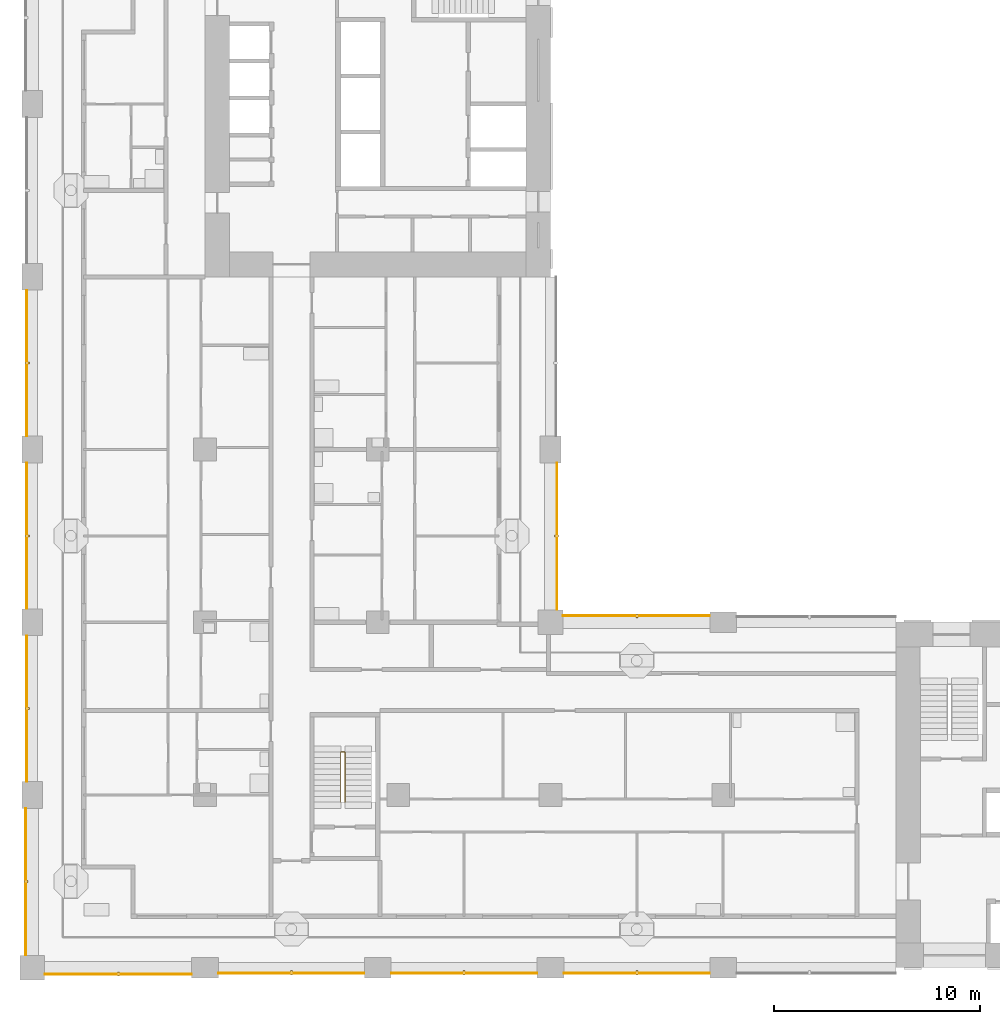
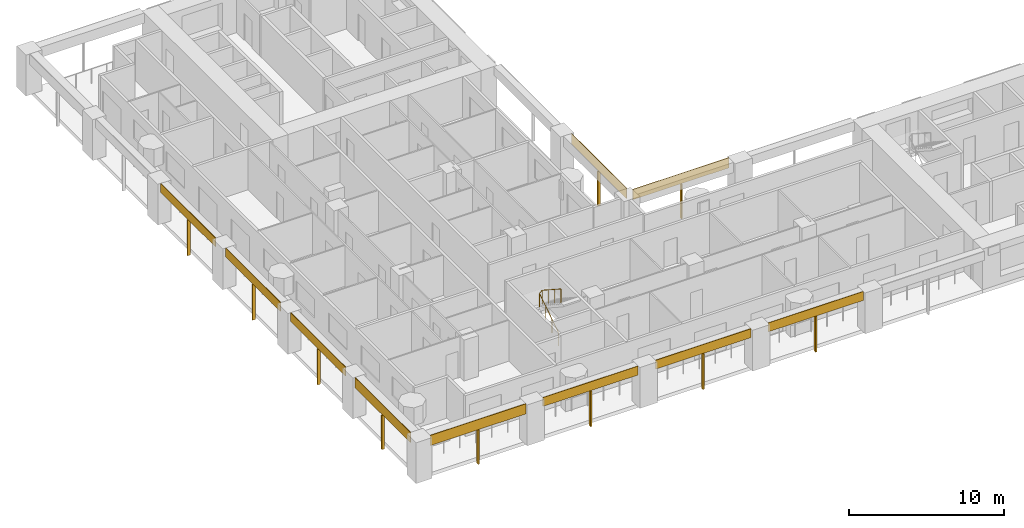
# One storey, part 9 of 18: 20 shading devices, 1 railing.
"""IFC4 building model written with IfcOpenShell, lengths in metres."""

import ifcopenshell
import ifcopenshell.guid

model = None  # the IFC model being written
_history = None  # IfcOwnerHistory: only IFC2X3 demands one
_inside = {}  # id of a spatial element -> (the spatial element, [elements in it])
_under = {}  # id of a project, library or spatial element -> (it, [spatial elements below it])
_declared = {}  # id of a project -> (the project, [libraries it declares])
_typed = {}  # id of a type object -> (the type object, [elements of that type])
_made_of = {}  # id of a material, layer set ... -> (it, [elements and type objects made of it])


def new_model(schema):
    """Start an empty IFC model of exactly this schema.

    Asked for "IFC4X3", IfcOpenShell would pick the latest addendum, in which some entities
    have other attributes; the version numbers below select the first issue.
    IFC2X3 requires an IfcOwnerHistory on every rooted entity: one is made here for all.
    """
    global model, _history
    if schema == "IFC4X3":
        model = ifcopenshell.file(schema_version=(4, 3, 0, 0))
    else:
        model = ifcopenshell.file(schema=schema)
    _inside.clear()
    _under.clear()
    _declared.clear()
    _typed.clear()
    _made_of.clear()
    _history = None
    if model.schema == "IFC2X3":
        org = make("IfcOrganization", Name="unknown")
        user = make(
            "IfcPersonAndOrganization",
            ThePerson=make("IfcPerson", FamilyName="unknown"),
            TheOrganization=org,
        )
        app = make(
            "IfcApplication",
            ApplicationDeveloper=org,
            Version="unknown",
            ApplicationFullName="unknown",
            ApplicationIdentifier="unknown",
        )
        _history = make(
            "IfcOwnerHistory",
            OwningUser=user,
            OwningApplication=app,
            ChangeAction="ADDED",
            CreationDate=0,
        )
    return model


def make(cls, **values):
    """One entity of the class cls with the attributes given. An attribute that is None is left unset."""
    return model.create_entity(
        cls, **{name: value for name, value in values.items() if value is not None}
    )


def rooted(cls, **values):
    """An entity with a GlobalId (a new one), such as an element, a storey or a relation."""
    return make(cls, GlobalId=ifcopenshell.guid.new(), OwnerHistory=_history, **values)


def si_unit(unit_type, name, prefix=None):
    """IfcSIUnit, for example si_unit("LENGTHUNIT", "METRE", prefix="MILLI")."""
    return make("IfcSIUnit", UnitType=unit_type, Prefix=prefix, Name=name)


def assignment(units):
    """IfcUnitAssignment: the units of a project."""
    return None if units is None else make("IfcUnitAssignment", Units=units)


def point(xyz):
    """IfcCartesianPoint."""
    return None if xyz is None else make("IfcCartesianPoint", Coordinates=xyz)


def direction(xyz):
    """IfcDirection."""
    return None if xyz is None else make("IfcDirection", DirectionRatios=xyz)


def frame(location, z_axis=None, x_axis=None):
    """IfcAxis2Placement3D, a coordinate frame: its origin and axes. An axis left out is left unset."""
    return make(
        "IfcAxis2Placement3D",
        Location=point(location),
        Axis=direction(z_axis),
        RefDirection=direction(x_axis),
    )


def frame_2d(location, x_axis=None):
    """IfcAxis2Placement2D, a coordinate frame in the plane: its origin and x axis."""
    return make(
        "IfcAxis2Placement2D", Location=point(location), RefDirection=direction(x_axis)
    )


def origin():
    """The frame at (0, 0, 0) with its axes left unset."""
    return frame((0.0, 0.0, 0.0))


def origin_2d():
    """The frame at (0, 0) in the plane with its x axis left unset."""
    return frame_2d((0.0, 0.0))


def place(relative_to, where):
    """IfcLocalPlacement: puts the frame where relative to a parent placement (None: the world)."""
    return make(
        "IfcLocalPlacement", PlacementRelTo=relative_to, RelativePlacement=where
    )


def context(
    kind, dimensions, precision=None, world=None, true_north=None, identifier=None
):
    """IfcGeometricRepresentationContext, for example the 3D "Model" context."""
    return make(
        "IfcGeometricRepresentationContext",
        ContextIdentifier=identifier,
        ContextType=kind,
        CoordinateSpaceDimension=dimensions,
        Precision=precision,
        WorldCoordinateSystem=world,
        TrueNorth=true_north,
    )


def subcontext(parent, identifier, kind, view, scale=None):
    """IfcGeometricRepresentationSubContext, for example "Body" below "Model"."""
    return make(
        "IfcGeometricRepresentationSubContext",
        ContextIdentifier=identifier,
        ContextType=kind,
        ParentContext=parent,
        TargetScale=scale,
        TargetView=view,
    )


def project(units=None, contexts=None):
    """IfcProject with its units and contexts."""
    return rooted(
        "IfcProject",
        Name="project",
        RepresentationContexts=contexts,
        UnitsInContext=assignment(units),
    )


def spatial(cls, under=None, at=None, **own):
    """A site, building, storey or space (cls), placed at a placement, below another one or the project."""
    s = rooted(cls, ObjectPlacement=at, **own)
    if under is not None:
        _under.setdefault(under.id(), (under, []))[1].append(s)
    return s


def profile(cls, at=None, kind="AREA", **sizes):
    """A parametric profile (cls). Its sizes go by their IFC names, for example OverallWidth=200.0."""
    return make(cls, ProfileType=kind, Position=at, **sizes)


def rectangle(**sizes):
    """IfcRectangleProfileDef."""
    return profile("IfcRectangleProfileDef", **sizes)


def circle(**sizes):
    """IfcCircleProfileDef."""
    return profile("IfcCircleProfileDef", **sizes)


def extrude(swept, where, along, depth):
    """IfcExtrudedAreaSolid: the profile swept, set in the frame where, extruded along a direction by depth."""
    return make(
        "IfcExtrudedAreaSolid",
        SweptArea=swept,
        Position=where,
        ExtrudedDirection=direction(along),
        Depth=depth,
    )


def shape(context_of_items, identifier, shape_type, items):
    """IfcShapeRepresentation: the items that make up one representation, for example the "Body"."""
    return make(
        "IfcShapeRepresentation",
        ContextOfItems=context_of_items,
        RepresentationIdentifier=identifier,
        RepresentationType=shape_type,
        Items=items,
    )


def material(Name=None, Category=None):
    """IfcMaterial."""
    return make("IfcMaterial", Name=Name, Category=Category)


def layer(
    of_material, thickness, ventilated=None, Name=None, Category=None, Priority=None
):
    """IfcMaterialLayer: one layer of a wall or slab, of a material (None: an air gap)."""
    return make(
        "IfcMaterialLayer",
        Material=of_material,
        LayerThickness=thickness,
        IsVentilated=ventilated,
        Name=Name,
        Category=Category,
        Priority=Priority,
    )


def layer_set(layers, Name=None):
    """IfcMaterialLayerSet."""
    return make("IfcMaterialLayerSet", MaterialLayers=layers, LayerSetName=Name)


def material_profile(
    of_material, cross_section, Name=None, Category=None, Priority=None
):
    """IfcMaterialProfile: a cross section and its material."""
    return make(
        "IfcMaterialProfile",
        Name=Name,
        Material=of_material,
        Profile=cross_section,
        Priority=Priority,
        Category=Category,
    )


def profile_set(profiles, Name=None, composite=None):
    """IfcMaterialProfileSet."""
    return make(
        "IfcMaterialProfileSet",
        Name=Name,
        MaterialProfiles=profiles,
        CompositeProfile=composite,
    )


def made_of(thing, what):
    """Note that an element or type object is made of a material, layer set ...; save() writes the relation."""
    if what is not None:
        _made_of.setdefault(what.id(), (what, []))[1].append(thing)
    return thing


def type_object(cls, material=None, **own):
    """A type object (cls), such as IfcWallType, which elements share."""
    return made_of(rooted(cls, **own), material)


def element(
    cls,
    number,
    at=None,
    inside=None,
    cuts=None,
    type_object=None,
    material=None,
    context=None,
    identifier="Body",
    shape_type=None,
    held_by="IfcProductDefinitionShape",
    body=None,
    shapes=None,
    **own,
):
    """One element of the class cls, such as IfcWall. Its Tag is "e" and its number.

    at: its placement. inside: the storey or other place that contains it. cuts: it is an
    opening in that element (IfcRelVoidsElement). A single representation is given by context,
    identifier, shape_type and body (its items); several are given by shapes. held_by: the class
    of the entity that holds the representations. save() writes the other relations.
    """
    e = rooted(cls, Tag="e%d" % number, ObjectPlacement=at, **own)
    if body is not None:
        shapes = [shape(context, identifier, shape_type, body)]
    if shapes is not None:
        e.Representation = make(held_by, Representations=shapes)
    if inside is not None:
        _inside.setdefault(inside.id(), (inside, []))[1].append(e)
    if cuts is not None:
        rooted(
            "IfcRelVoidsElement", RelatingBuildingElement=cuts, RelatedOpeningElement=e
        )
    if type_object is not None:
        _typed.setdefault(type_object.id(), (type_object, []))[1].append(e)
    return made_of(e, material)


def aggregate(whole, parts):
    """IfcRelAggregates: a whole, such as a stair, and the parts it consists of."""
    return rooted("IfcRelAggregates", RelatingObject=whole, RelatedObjects=parts)


def save(model, path):
    """Write the relations noted so far, then the file.

    IfcRelAggregates (storeys below a building ...), IfcRelContainedInSpatialStructure (elements
    in a storey), IfcRelDefinesByType, IfcRelAssociatesMaterial and IfcRelDeclares: one each for
    every whole, place, type object, material and project.
    """
    for whole, parts in _under.values():
        aggregate(whole, parts)
    for where, things in _inside.values():
        rooted(
            "IfcRelContainedInSpatialStructure",
            RelatedElements=things,
            RelatingStructure=where,
        )
    for kind, things in _typed.values():
        rooted("IfcRelDefinesByType", RelatedObjects=things, RelatingType=kind)
    for what, things in _made_of.values():
        rooted("IfcRelAssociatesMaterial", RelatedObjects=things, RelatingMaterial=what)
    for by, libraries in _declared.values():
        rooted("IfcRelDeclares", RelatingContext=by, RelatedDefinitions=libraries)
    model.write(path)


model = new_model("IFC4")

# Units and contexts
model_context = context("Model", 3, precision=1e-05, world=origin(), true_north=direction((0.0, 1.0)))
body_context = subcontext(model_context, "Body", "Model", "MODEL_VIEW")
ifc_project = project(units=[si_unit("LENGTHUNIT", "METRE"), si_unit("AREAUNIT", "SQUARE_METRE"), si_unit("VOLUMEUNIT", "CUBIC_METRE"), si_unit("PLANEANGLEUNIT", "RADIAN"), si_unit("MASSUNIT", "GRAM", prefix="KILO")], contexts=[model_context])

# Site, building, storey
site_placement = place(None, origin())
site = spatial("IfcSite", under=ifc_project, at=site_placement, CompositionType="ELEMENT")
building_placement = place(site_placement, origin())
building = spatial("IfcBuilding", under=site, at=building_placement, Name="Vermilion Gate Residences", CompositionType="ELEMENT")
storey_placement = place(building_placement, frame((0.0, 0.0, 81.199951171875)))
storey = spatial("IfcBuildingStorey", under=building, at=storey_placement, Name="L19", CompositionType="ELEMENT", Elevation=81.199951171875)

# Shading devices
ifc_material_1 = material(Name="Perforated terracotta", Category="masonry")
ifc_layer = layer(ifc_material_1, 0.0400390625)
ifc_layer_set = layer_set([ifc_layer], Name="PERFORATED TERRACOTTA SCREEN 40")
shading_device_type_1 = type_object("IfcShadingDeviceType", Name="PERFORATED TERRACOTTA SCREEN 40", PredefinedType="SHUTTER", material=ifc_layer_set)
shading_device_1_placement = place(storey_placement, frame((4.175048828125, 8.080078125, 2.419921875), z_axis=(0.0, 0.0, 1.0), x_axis=(1.0, 0.0, 0.0)))
element("IfcShadingDevice", 1, at=shading_device_1_placement, inside=storey, type_object=shading_device_type_1, Name="SCREEN", PredefinedType="SHUTTER", context=body_context, shape_type="SweptSolid", body=[
    extrude(rectangle(XDim=7.14990234375, YDim=0.0400390625, at=origin_2d()), origin(), (0.0, 0.0, 1.0), 0.800048828125),
])
for number, where, z_axis, x_axis, name in (
    (2, (12.60009765625, 8.1298828125, 2.52001953125), (0.0, 0.0, 1.0), (1.0, 0.0, 0.0), "SCREEN"),
    (3, (21.0, 8.1298828125, 2.52001953125), (0.0, 0.0, 1.0), (1.0, 0.0, 0.0), "SCREEN"),
    (4, (29.39990234375, 8.1298828125, 2.52001953125), (0.0, 0.0, 1.0), (1.0, 0.0, 0.0), "SCREEN"),
):
    element("IfcShadingDevice", number, at=place(storey_placement, frame(where, z_axis=z_axis, x_axis=x_axis)), inside=storey, type_object=shading_device_type_1, Name=name, PredefinedType="SHUTTER", context=body_context, shape_type="SweptSolid", body=[
        extrude(rectangle(XDim=7.10009765625, YDim=0.0400390625, at=origin_2d()), origin(), (0.0, 0.0, 1.0), 0.699951171875),
    ])
for number, where, z_axis, x_axis, name in (
    (5, (29.375, 25.52001953125, 2.419921875), (0.0, 0.0, 1.0), (-1.0, 0.0, 0.0), "SCREEN"),
    (6, (25.52001953125, 29.375, 2.419921875), (0.0, 0.0, 1.0), (0.0, 1.0, 0.0), "SCREEN"),
    (7, (-0.320068359375, 12.574951171875, 2.419921875), (0.0, 0.0, 1.0), (0.0, -1.0, 0.0), "SCREEN"),
):
    element("IfcShadingDevice", number, at=place(storey_placement, frame(where, z_axis=z_axis, x_axis=x_axis)), inside=storey, type_object=shading_device_type_1, Name=name, PredefinedType="SHUTTER", context=body_context, shape_type="SweptSolid", body=[
        extrude(rectangle(XDim=7.14990234375, YDim=0.0400390625, at=origin_2d()), origin(), (0.0, 0.0, 1.0), 0.800048828125),
    ])
for number, where, z_axis, x_axis, name in (
    (8, (-0.27001953125, 21.0, 2.52001953125), (0.0, 0.0, 1.0), (0.0, -1.0, 0.0), "SCREEN"),
    (9, (-0.27001953125, 29.39990234375, 2.52001953125), (0.0, 0.0, 1.0), (0.0, -1.0, 0.0), "SCREEN"),
    (10, (-0.27001953125, 37.800048828125, 2.52001953125), (0.0, 0.0, 1.0), (0.0, -1.0, 0.0), "SCREEN"),
):
    element("IfcShadingDevice", number, at=place(storey_placement, frame(where, z_axis=z_axis, x_axis=x_axis)), inside=storey, type_object=shading_device_type_1, Name=name, PredefinedType="SHUTTER", context=body_context, shape_type="SweptSolid", body=[
        extrude(rectangle(XDim=7.10009765625, YDim=0.0400390625, at=origin_2d()), origin(), (0.0, 0.0, 1.0), 0.699951171875),
    ])

# Railing
ifc_material_2 = material(Name="Steel S355", Category="steel")
railing_type = type_object("IfcRailingType", Name="STAIR GUARD 1100 STEEL", PredefinedType="GUARDRAIL", material=ifc_material_2)
railing_placement = place(storey_placement, frame((15.0, 16.449951171875, 0.175048828125)))
element("IfcRailing", 11, at=railing_placement, inside=storey, type_object=railing_type, Name="Stair well guard STC1-19", PredefinedType="GUARDRAIL", context=body_context, shape_type="SweptSolid", body=[
    extrude(circle(Radius=0.02392578125, at=origin_2d()), frame((0.0, 0.0, 1.076171875), z_axis=(0.0, 0.839153699163, 0.543894354798), x_axis=(-1.0, 0.0, 0.0)), (0.0, 0.0, 1.0), 2.895751953125),
    extrude(circle(Radius=0.02392578125, at=origin_2d()), frame((0.0, 2.429931640625, 2.65087890625), z_axis=(0.752405939678, 0.0, 0.658699705433), x_axis=(0.0, 1.0, 0.0)), (0.0, 0.0, 1.0), 0.265869140625),
    extrude(circle(Radius=0.02392578125, at=origin_2d()), frame((0.199951171875, 2.429931640625, 2.826171875), z_axis=(0.0, -0.839153699163, 0.543894354798), x_axis=(1.0, 0.0, 0.0)), (0.0, 0.0, 1.0), 2.895751953125),
    extrude(circle(Radius=0.02099609375, at=origin_2d()), origin(), (0.0, 0.0, 1.0), 1.052001953125),
    extrude(circle(Radius=0.02099609375, at=origin_2d()), frame((0.0, 0.81005859375, 0.52490234375)), (0.0, 0.0, 1.0), 1.052001953125),
    extrude(circle(Radius=0.02099609375, at=origin_2d()), frame((0.0, 1.619873046875, 1.050048828125)), (0.0, 0.0, 1.0), 1.052001953125),
    extrude(circle(Radius=0.02099609375, at=origin_2d()), frame((0.0, 2.429931640625, 1.574951171875)), (0.0, 0.0, 1.0), 1.052001953125),
    extrude(circle(Radius=0.02099609375, at=origin_2d()), frame((0.199951171875, 2.429931640625, 1.75)), (0.0, 0.0, 1.0), 1.052001953125),
    extrude(circle(Radius=0.02099609375, at=origin_2d()), frame((0.199951171875, 1.619873046875, 2.27490234375)), (0.0, 0.0, 1.0), 1.052001953125),
    extrude(circle(Radius=0.02099609375, at=origin_2d()), frame((0.199951171875, 0.81005859375, 2.800048828125)), (0.0, 0.0, 1.0), 1.052001953125),
    extrude(circle(Radius=0.02099609375, at=origin_2d()), frame((0.199951171875, 0.0, 3.324951171875)), (0.0, 0.0, 1.0), 1.052001953125),
])

# Shading devices
ifc_material_3 = material(Name="Extruded terracotta", Category="masonry")
ifc_material_profile = material_profile(ifc_material_3, rectangle(XDim=0.199951171875, YDim=0.10009765625, at=origin_2d()), Name="BAGUETTE 100 X 200")
ifc_profile_set = profile_set([ifc_material_profile], Name="Extruded terracotta")
shading_device_type_2 = type_object("IfcShadingDeviceType", Name="TERRACOTTA BAGUETTE 100 X 200", PredefinedType="JALOUSIE", material=ifc_profile_set)
shading_device_2_placement = place(storey_placement, frame((4.199951171875, 8.10009765625, -0.280029296875), z_axis=(0.0, 0.0, 1.0), x_axis=(0.0, 1.0, 0.0)))
element("IfcShadingDevice", 12, at=shading_device_2_placement, inside=storey, type_object=shading_device_type_2, Name="BAGUETTE", PredefinedType="JALOUSIE", context=body_context, shape_type="SweptSolid", body=[
    extrude(rectangle(XDim=0.199951171875, YDim=0.10009765625, at=origin_2d()), origin(), (0.0, 0.0, 1.0), 2.7001953125),
])
for number, where, z_axis, x_axis, name in (
    (13, (12.60009765625, 8.14990234375, -0.280029296875), (0.0, 0.0, 1.0), (0.0, 1.0, 0.0), "BAGUETTE"),
    (14, (21.0, 8.14990234375, -0.280029296875), (0.0, 0.0, 1.0), (0.0, 1.0, 0.0), "BAGUETTE"),
    (15, (29.39990234375, 8.14990234375, -0.280029296875), (0.0, 0.0, 1.0), (0.0, 1.0, 0.0), "BAGUETTE"),
):
    element("IfcShadingDevice", number, at=place(storey_placement, frame(where, z_axis=z_axis, x_axis=x_axis)), inside=storey, type_object=shading_device_type_2, Name=name, PredefinedType="JALOUSIE", context=body_context, shape_type="SweptSolid", body=[
        extrude(rectangle(XDim=0.199951171875, YDim=0.10009765625, at=origin_2d()), origin(), (0.0, 0.0, 1.0), 2.800048828125),
    ])
for number, where, z_axis, x_axis, name in (
    (16, (29.39990234375, 25.5, -0.280029296875), (0.0, 0.0, 1.0), (0.0, -1.0, 0.0), "BAGUETTE"),
    (17, (25.5, 29.39990234375, -0.280029296875), (0.0, 0.0, 1.0), (-1.0, 0.0, 0.0), "BAGUETTE"),
    (18, (-0.300048828125, 12.60009765625, -0.280029296875), (0.0, 0.0, 1.0), (1.0, 0.0, 0.0), "BAGUETTE"),
):
    element("IfcShadingDevice", number, at=place(storey_placement, frame(where, z_axis=z_axis, x_axis=x_axis)), inside=storey, type_object=shading_device_type_2, Name=name, PredefinedType="JALOUSIE", context=body_context, shape_type="SweptSolid", body=[
        extrude(rectangle(XDim=0.199951171875, YDim=0.10009765625, at=origin_2d()), origin(), (0.0, 0.0, 1.0), 2.7001953125),
    ])
for number, where, z_axis, x_axis, name in (
    (19, (-0.25, 21.0, -0.280029296875), (0.0, 0.0, 1.0), (1.0, 0.0, 0.0), "BAGUETTE"),
    (20, (-0.25, 29.39990234375, -0.280029296875), (0.0, 0.0, 1.0), (1.0, 0.0, 0.0), "BAGUETTE"),
    (21, (-0.25, 37.800048828125, -0.280029296875), (0.0, 0.0, 1.0), (1.0, 0.0, 0.0), "BAGUETTE"),
):
    element("IfcShadingDevice", number, at=place(storey_placement, frame(where, z_axis=z_axis, x_axis=x_axis)), inside=storey, type_object=shading_device_type_2, Name=name, PredefinedType="JALOUSIE", context=body_context, shape_type="SweptSolid", body=[
        extrude(rectangle(XDim=0.199951171875, YDim=0.10009765625, at=origin_2d()), origin(), (0.0, 0.0, 1.0), 2.800048828125),
    ])

save(model, "model.ifc")
